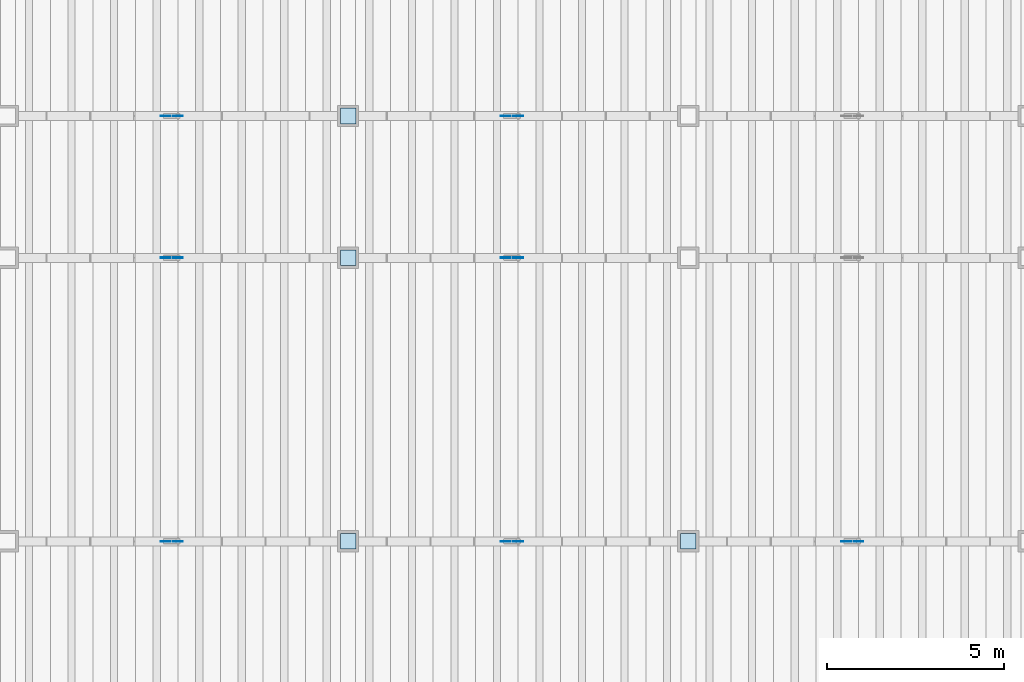
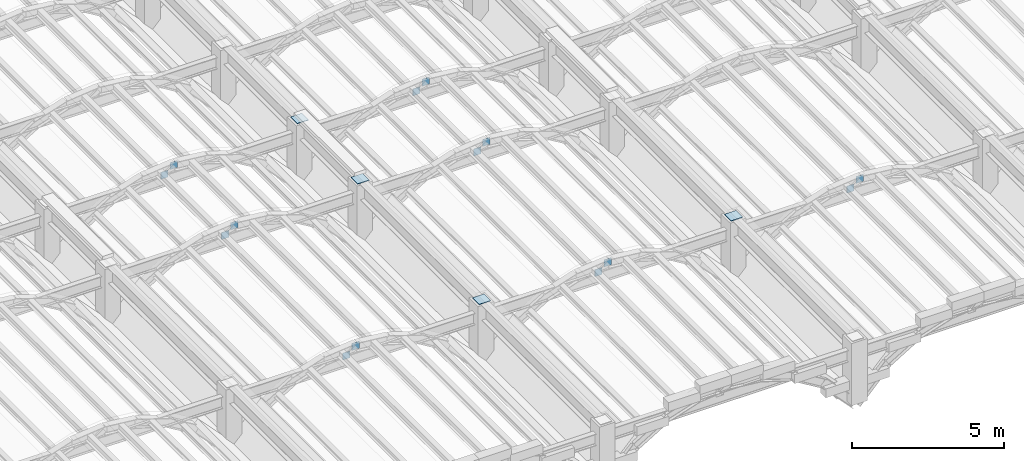
# One storey, part 62 of 70: 18 plates.
"""IFC4 building model written with IfcOpenShell, lengths in metres."""

import ifcopenshell
import ifcopenshell.guid

model = None  # the IFC model being written
_history = None  # IfcOwnerHistory: only IFC2X3 demands one
_inside = {}  # id of a spatial element -> (the spatial element, [elements in it])
_under = {}  # id of a project, library or spatial element -> (it, [spatial elements below it])
_declared = {}  # id of a project -> (the project, [libraries it declares])
_typed = {}  # id of a type object -> (the type object, [elements of that type])
_made_of = {}  # id of a material, layer set ... -> (it, [elements and type objects made of it])


def new_model(schema):
    """Start an empty IFC model of exactly this schema.

    Asked for "IFC4X3", IfcOpenShell would pick the latest addendum, in which some entities
    have other attributes; the version numbers below select the first issue.
    IFC2X3 requires an IfcOwnerHistory on every rooted entity: one is made here for all.
    """
    global model, _history
    if schema == "IFC4X3":
        model = ifcopenshell.file(schema_version=(4, 3, 0, 0))
    else:
        model = ifcopenshell.file(schema=schema)
    _inside.clear()
    _under.clear()
    _declared.clear()
    _typed.clear()
    _made_of.clear()
    _history = None
    if model.schema == "IFC2X3":
        org = make("IfcOrganization", Name="unknown")
        user = make(
            "IfcPersonAndOrganization",
            ThePerson=make("IfcPerson", FamilyName="unknown"),
            TheOrganization=org,
        )
        app = make(
            "IfcApplication",
            ApplicationDeveloper=org,
            Version="unknown",
            ApplicationFullName="unknown",
            ApplicationIdentifier="unknown",
        )
        _history = make(
            "IfcOwnerHistory",
            OwningUser=user,
            OwningApplication=app,
            ChangeAction="ADDED",
            CreationDate=0,
        )
    return model


def make(cls, **values):
    """One entity of the class cls with the attributes given. An attribute that is None is left unset."""
    return model.create_entity(
        cls, **{name: value for name, value in values.items() if value is not None}
    )


def rooted(cls, **values):
    """An entity with a GlobalId (a new one), such as an element, a storey or a relation."""
    return make(cls, GlobalId=ifcopenshell.guid.new(), OwnerHistory=_history, **values)


def si_unit(unit_type, name, prefix=None):
    """IfcSIUnit, for example si_unit("LENGTHUNIT", "METRE", prefix="MILLI")."""
    return make("IfcSIUnit", UnitType=unit_type, Prefix=prefix, Name=name)


def assignment(units):
    """IfcUnitAssignment: the units of a project."""
    return None if units is None else make("IfcUnitAssignment", Units=units)


def point(xyz):
    """IfcCartesianPoint."""
    return None if xyz is None else make("IfcCartesianPoint", Coordinates=xyz)


def direction(xyz):
    """IfcDirection."""
    return None if xyz is None else make("IfcDirection", DirectionRatios=xyz)


def frame(location, z_axis=None, x_axis=None):
    """IfcAxis2Placement3D, a coordinate frame: its origin and axes. An axis left out is left unset."""
    return make(
        "IfcAxis2Placement3D",
        Location=point(location),
        Axis=direction(z_axis),
        RefDirection=direction(x_axis),
    )


def frame_2d(location, x_axis=None):
    """IfcAxis2Placement2D, a coordinate frame in the plane: its origin and x axis."""
    return make(
        "IfcAxis2Placement2D", Location=point(location), RefDirection=direction(x_axis)
    )


def origin():
    """The frame at (0, 0, 0) with its axes left unset."""
    return frame((0.0, 0.0, 0.0))


def origin_2d():
    """The frame at (0, 0) in the plane with its x axis left unset."""
    return frame_2d((0.0, 0.0))


def place(relative_to, where):
    """IfcLocalPlacement: puts the frame where relative to a parent placement (None: the world)."""
    return make(
        "IfcLocalPlacement", PlacementRelTo=relative_to, RelativePlacement=where
    )


def context(
    kind, dimensions, precision=None, world=None, true_north=None, identifier=None
):
    """IfcGeometricRepresentationContext, for example the 3D "Model" context."""
    return make(
        "IfcGeometricRepresentationContext",
        ContextIdentifier=identifier,
        ContextType=kind,
        CoordinateSpaceDimension=dimensions,
        Precision=precision,
        WorldCoordinateSystem=world,
        TrueNorth=true_north,
    )


def subcontext(parent, identifier, kind, view, scale=None):
    """IfcGeometricRepresentationSubContext, for example "Body" below "Model"."""
    return make(
        "IfcGeometricRepresentationSubContext",
        ContextIdentifier=identifier,
        ContextType=kind,
        ParentContext=parent,
        TargetScale=scale,
        TargetView=view,
    )


def project(units=None, contexts=None):
    """IfcProject with its units and contexts."""
    return rooted(
        "IfcProject",
        Name="project",
        RepresentationContexts=contexts,
        UnitsInContext=assignment(units),
    )


def spatial(cls, under=None, at=None, **own):
    """A site, building, storey or space (cls), placed at a placement, below another one or the project."""
    s = rooted(cls, ObjectPlacement=at, **own)
    if under is not None:
        _under.setdefault(under.id(), (under, []))[1].append(s)
    return s


def profile(cls, at=None, kind="AREA", **sizes):
    """A parametric profile (cls). Its sizes go by their IFC names, for example OverallWidth=200.0."""
    return make(cls, ProfileType=kind, Position=at, **sizes)


def rectangle(**sizes):
    """IfcRectangleProfileDef."""
    return profile("IfcRectangleProfileDef", **sizes)


def extrude(swept, where, along, depth):
    """IfcExtrudedAreaSolid: the profile swept, set in the frame where, extruded along a direction by depth."""
    return make(
        "IfcExtrudedAreaSolid",
        SweptArea=swept,
        Position=where,
        ExtrudedDirection=direction(along),
        Depth=depth,
    )


def shape(context_of_items, identifier, shape_type, items):
    """IfcShapeRepresentation: the items that make up one representation, for example the "Body"."""
    return make(
        "IfcShapeRepresentation",
        ContextOfItems=context_of_items,
        RepresentationIdentifier=identifier,
        RepresentationType=shape_type,
        Items=items,
    )


def material(Name=None, Category=None):
    """IfcMaterial."""
    return make("IfcMaterial", Name=Name, Category=Category)


def layer(
    of_material, thickness, ventilated=None, Name=None, Category=None, Priority=None
):
    """IfcMaterialLayer: one layer of a wall or slab, of a material (None: an air gap)."""
    return make(
        "IfcMaterialLayer",
        Material=of_material,
        LayerThickness=thickness,
        IsVentilated=ventilated,
        Name=Name,
        Category=Category,
        Priority=Priority,
    )


def layer_set(layers, Name=None):
    """IfcMaterialLayerSet."""
    return make("IfcMaterialLayerSet", MaterialLayers=layers, LayerSetName=Name)


def made_of(thing, what):
    """Note that an element or type object is made of a material, layer set ...; save() writes the relation."""
    if what is not None:
        _made_of.setdefault(what.id(), (what, []))[1].append(thing)
    return thing


def type_object(cls, material=None, **own):
    """A type object (cls), such as IfcWallType, which elements share."""
    return made_of(rooted(cls, **own), material)


def element(
    cls,
    number,
    at=None,
    inside=None,
    cuts=None,
    type_object=None,
    material=None,
    context=None,
    identifier="Body",
    shape_type=None,
    held_by="IfcProductDefinitionShape",
    body=None,
    shapes=None,
    **own,
):
    """One element of the class cls, such as IfcWall. Its Tag is "e" and its number.

    at: its placement. inside: the storey or other place that contains it. cuts: it is an
    opening in that element (IfcRelVoidsElement). A single representation is given by context,
    identifier, shape_type and body (its items); several are given by shapes. held_by: the class
    of the entity that holds the representations. save() writes the other relations.
    """
    e = rooted(cls, Tag="e%d" % number, ObjectPlacement=at, **own)
    if body is not None:
        shapes = [shape(context, identifier, shape_type, body)]
    if shapes is not None:
        e.Representation = make(held_by, Representations=shapes)
    if inside is not None:
        _inside.setdefault(inside.id(), (inside, []))[1].append(e)
    if cuts is not None:
        rooted(
            "IfcRelVoidsElement", RelatingBuildingElement=cuts, RelatedOpeningElement=e
        )
    if type_object is not None:
        _typed.setdefault(type_object.id(), (type_object, []))[1].append(e)
    return made_of(e, material)


def aggregate(whole, parts):
    """IfcRelAggregates: a whole, such as a stair, and the parts it consists of."""
    return rooted("IfcRelAggregates", RelatingObject=whole, RelatedObjects=parts)


def save(model, path):
    """Write the relations noted so far, then the file.

    IfcRelAggregates (storeys below a building ...), IfcRelContainedInSpatialStructure (elements
    in a storey), IfcRelDefinesByType, IfcRelAssociatesMaterial and IfcRelDeclares: one each for
    every whole, place, type object, material and project.
    """
    for whole, parts in _under.values():
        aggregate(whole, parts)
    for where, things in _inside.values():
        rooted(
            "IfcRelContainedInSpatialStructure",
            RelatedElements=things,
            RelatingStructure=where,
        )
    for kind, things in _typed.values():
        rooted("IfcRelDefinesByType", RelatedObjects=things, RelatingType=kind)
    for what, things in _made_of.values():
        rooted("IfcRelAssociatesMaterial", RelatedObjects=things, RelatingMaterial=what)
    for by, libraries in _declared.values():
        rooted("IfcRelDeclares", RelatingContext=by, RelatedDefinitions=libraries)
    model.write(path)


model = new_model("IFC4")

# Units and contexts
model_context = context("Model", 3, precision=1e-05, world=origin(), true_north=direction((0.0, 1.0)))
body_context = subcontext(model_context, "Body", "Model", "MODEL_VIEW")
ifc_project = project(units=[si_unit("LENGTHUNIT", "METRE"), si_unit("AREAUNIT", "SQUARE_METRE"), si_unit("VOLUMEUNIT", "CUBIC_METRE"), si_unit("PLANEANGLEUNIT", "RADIAN"), si_unit("MASSUNIT", "GRAM", prefix="KILO")], contexts=[model_context])

# Site, building, storey
site_placement = place(None, origin())
site = spatial("IfcSite", under=ifc_project, at=site_placement, CompositionType="ELEMENT")
building_placement = place(site_placement, origin())
building = spatial("IfcBuilding", under=site, at=building_placement, Name="Mavantir Sound Aquarium", CompositionType="ELEMENT")
storey_placement = place(building_placement, frame((0.0, 0.0, 27.0)))
storey = spatial("IfcBuildingStorey", under=building, at=storey_placement, Name="RF", CompositionType="ELEMENT", Elevation=27.0)

# Plates
ifc_material = material(Name="Structural Steel ASTM A572 Gr50", Category="steel")
ifc_layer_1 = layer(ifc_material, 0.02001953125, Name="Structural Steel ASTM A572 Gr50")
ifc_layer_set_1 = layer_set([ifc_layer_1], Name="Structural Steel ASTM A572 Gr50")
plate_type_1 = type_object("IfcPlateType", Name="PLT-ENDCAP-20", PredefinedType="SHEET", material=ifc_layer_set_1)
for number, where, z_axis, x_axis, name in (
    (1, (136.800048828125, 48.800048828125, -4.699951171875), (0.0, 0.0, 1.0), (1.0, 0.0, 0.0), "Ridge column cap plate 4.49"),
    (2, (136.800048828125, 56.800048828125, -4.699951171875), (0.0, 0.0, 1.0), (1.0, 0.0, 0.0), "Ridge column cap plate 4.57"),
    (3, (136.800048828125, 60.800048828125, -4.699951171875), (0.0, 0.0, 1.0), (1.0, 0.0, 0.0), "Ridge column cap plate 4.61"),
    (4, (146.39990234375, 48.800048828125, -4.699951171875), (0.0, 0.0, 1.0), (1.0, 0.0, 0.0), "Ridge column cap plate 5.49"),
):
    element("IfcPlate", number, at=place(storey_placement, frame(where, z_axis=z_axis, x_axis=x_axis)), inside=storey, type_object=plate_type_1, Name=name, PredefinedType="SHEET", context=body_context, shape_type="SweptSolid", body=[
        extrude(rectangle(XDim=0.43994140625, YDim=0.43994140625, at=origin_2d()), origin(), (0.0, 0.0, 1.0), 0.02001953125),
    ])
ifc_layer_2 = layer(ifc_material, 0.01611328125, Name="Structural Steel ASTM A572 Gr50")
ifc_layer_set_2 = layer_set([ifc_layer_2], Name="Structural Steel ASTM A572 Gr50")
plate_type_2 = type_object("IfcPlateType", Name="PLT-GUSSET-16", PredefinedType="SHEET", material=ifc_layer_set_2)
for number, where, z_axis, x_axis, name in (
    (5, (131.64990234375, 48.800048828125, -5.283203125), (0.0, 0.0, 1.0), (1.0, 0.0, 0.0), "Brace end gusset plate GP-01 111"),
    (6, (132.0, 48.800048828125, -5.0166015625), (0.0, 0.0, 1.0), (1.0, 0.0, 0.0), "Brace end gusset plate GP-01 112"),
    (7, (131.64990234375, 56.800048828125, -5.283203125), (0.0, 0.0, 1.0), (1.0, 0.0, 0.0), "Brace end gusset plate GP-01 113"),
    (8, (132.0, 56.800048828125, -5.0166015625), (0.0, 0.0, 1.0), (1.0, 0.0, 0.0), "Brace end gusset plate GP-01 114"),
    (9, (131.64990234375, 60.800048828125, -5.283203125), (0.0, 0.0, 1.0), (1.0, 0.0, 0.0), "Brace end gusset plate GP-01 115"),
    (10, (132.0, 60.800048828125, -5.0166015625), (0.0, 0.0, 1.0), (1.0, 0.0, 0.0), "Brace end gusset plate GP-01 116"),
    (11, (141.25, 48.800048828125, -5.283203125), (0.0, 0.0, 1.0), (1.0, 0.0, 0.0), "Brace end gusset plate GP-01 127"),
    (12, (141.60009765625, 48.800048828125, -5.0166015625), (0.0, 0.0, 1.0), (1.0, 0.0, 0.0), "Brace end gusset plate GP-01 128"),
    (13, (141.25, 56.800048828125, -5.283203125), (0.0, 0.0, 1.0), (1.0, 0.0, 0.0), "Brace end gusset plate GP-01 129"),
    (14, (141.60009765625, 56.800048828125, -5.0166015625), (0.0, 0.0, 1.0), (1.0, 0.0, 0.0), "Brace end gusset plate GP-01 130"),
    (15, (141.25, 60.800048828125, -5.283203125), (0.0, 0.0, 1.0), (1.0, 0.0, 0.0), "Brace end gusset plate GP-01 131"),
    (16, (141.60009765625, 60.800048828125, -5.0166015625), (0.0, 0.0, 1.0), (1.0, 0.0, 0.0), "Brace end gusset plate GP-01 132"),
    (17, (150.85009765625, 48.800048828125, -5.283203125), (0.0, 0.0, 1.0), (1.0, 0.0, 0.0), "Brace end gusset plate GP-01 141"),
    (18, (151.199951171875, 48.800048828125, -5.0166015625), (0.0, 0.0, 1.0), (1.0, 0.0, 0.0), "Brace end gusset plate GP-01 142"),
):
    element("IfcPlate", number, at=place(storey_placement, frame(where, z_axis=z_axis, x_axis=x_axis)), inside=storey, type_object=plate_type_2, Name=name, PredefinedType="SHEET", context=body_context, shape_type="SweptSolid", body=[
        extrude(rectangle(XDim=0.280029296875, YDim=0.01611328125, at=origin_2d()), origin(), (0.0, 0.0, 1.0), 0.280029296875),
    ])

save(model, "model.ifc")
